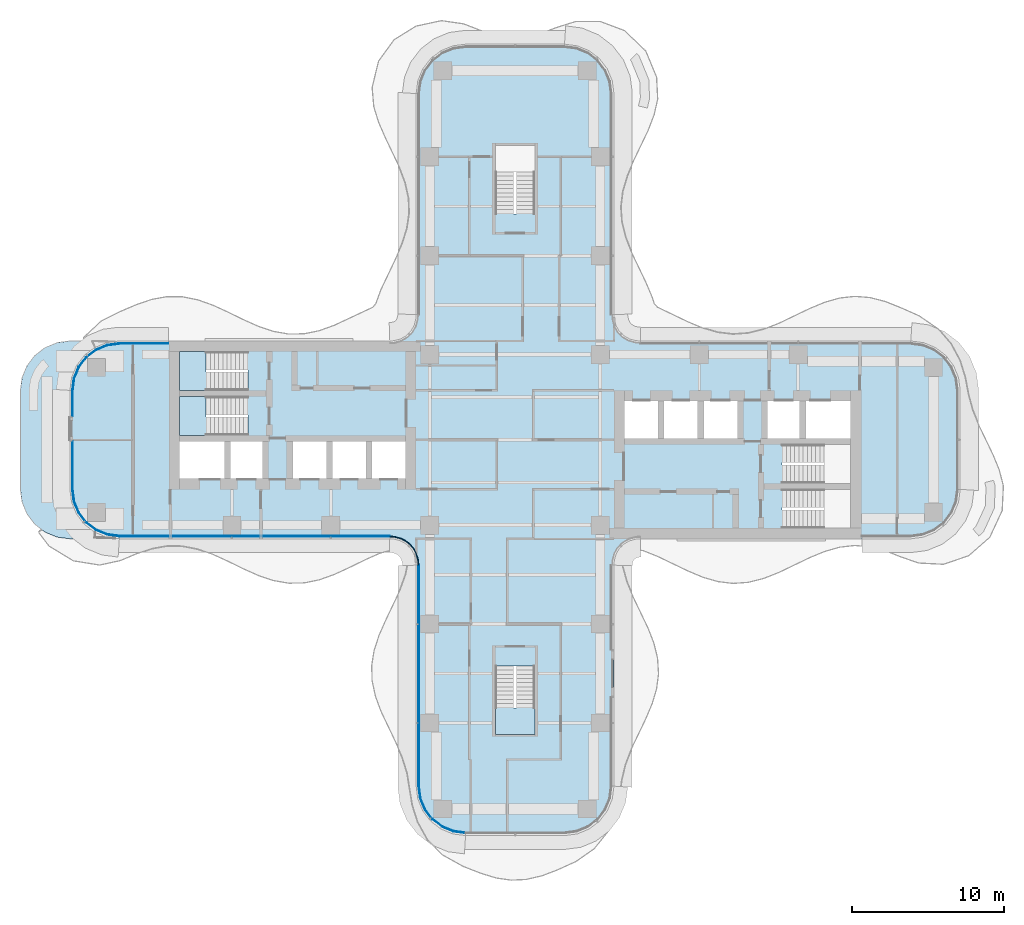
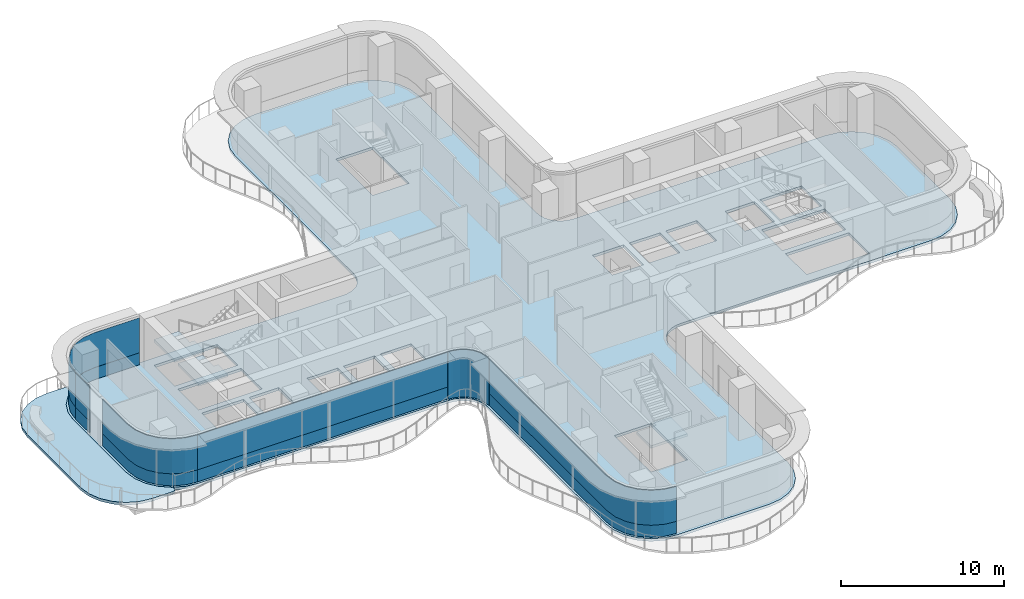
# One storey, part 9 of 17: 11 plates, 5 slabs, 9 elements without a shape of their own.
"""IFC4 building model written with IfcOpenShell, lengths in metres."""

from ifc_helpers import new_model, si_unit, direction, frame, origin, place, context, subcontext, project, spatial, polyline, outline, extrude, source, transform, mapped, material, layer, layer_set, type_object, element, aggregate, save


model = new_model("IFC4")

# Units and contexts
model_context = context("Model", 3, precision=1e-05, world=origin(), true_north=direction((0.0, 1.0)))
body_context = subcontext(model_context, "Body", "Model", "MODEL_VIEW")
ifc_project = project(units=[si_unit("LENGTHUNIT", "METRE"), si_unit("AREAUNIT", "SQUARE_METRE"), si_unit("VOLUMEUNIT", "CUBIC_METRE"), si_unit("PLANEANGLEUNIT", "RADIAN"), si_unit("MASSUNIT", "GRAM", prefix="KILO")], contexts=[model_context])

# Site, building, storey
site_placement = place(None, origin())
site = spatial("IfcSite", under=ifc_project, at=site_placement, CompositionType="ELEMENT")
building_placement = place(site_placement, origin())
building = spatial("IfcBuilding", under=site, at=building_placement, Name="Trellis Farm Tower", CompositionType="ELEMENT")
storey_placement = place(building_placement, frame((0.0, 0.0, 162.0)))
storey = spatial("IfcBuildingStorey", under=building, at=storey_placement, Name="L34", CompositionType="ELEMENT", Elevation=162.0)

# Curtain wall, plate
ifc_material_1 = material(Name="Aluminium and glass curtain wall", Category="aluminium")
ifc_layer_1 = layer(ifc_material_1, 0.18994140625)
ifc_layer_set_1 = layer_set([ifc_layer_1], Name="RIBBON CURTAIN WALL CW1")
curtain_wall_type_1 = type_object("IfcCurtainWallType", Name="RIBBON CURTAIN WALL CW1", PredefinedType="NOTDEFINED", material=ifc_layer_set_1)
placement_1 = place(storey_placement, origin())
curtain_wall_1 = element("IfcCurtainWall", 1, at=placement_1, inside=storey, type_object=curtain_wall_type_1, Name="CW1 013", PredefinedType="NOTDEFINED")
ifc_material_2 = material(Name="Clear insulated glass", Category="glass")
ifc_layer_2 = layer(ifc_material_2, 0.0400390625)
ifc_layer_set_2 = layer_set([ifc_layer_2], Name="CW1 GLASS PANEL 40")
plate_type_1 = type_object("IfcPlateType", Name="CW1 GLASS PANEL 40", PredefinedType="CURTAIN_PANEL", material=ifc_layer_set_2)
placement_2 = place(storey_placement, frame((0.0, 0.0, 0.89990234375)))
plate_1 = element("IfcPlate", 2, at=placement_2, type_object=plate_type_1, Name="PL1 013", PredefinedType="CURTAIN_PANEL", context=body_context, shape_type="SweptSolid", body=[
    extrude(outline(polyline([(-29.10009765625, 3.240234375), (-29.10009765625, 1.5400390625), (-29.06005859375, 1.5400390625), (-29.06005859375, 3.237548828125), (-29.10009765625, 3.240234375)])), origin(), (0.0, 0.0, 1.0), 2.6201171875),
])

curtain_wall_2 = element("IfcCurtainWall", 3, at=placement_1, inside=storey, type_object=curtain_wall_type_1, Name="CW1 014", PredefinedType="NOTDEFINED")
plate_2 = element("IfcPlate", 4, at=placement_2, type_object=plate_type_1, Name="PL1 014", PredefinedType="CURTAIN_PANEL", context=body_context, shape_type="SweptSolid", body=[
    extrude(outline(polyline([(-29.10009765625, -0.080078125), (-29.10009765625, -3.240234375), (-28.9931640625, -4.052001953125), (-28.68359375, -4.79931640625), (-28.191162109375, -5.441162109375), (-27.54931640625, -5.93359375), (-26.802001953125, -6.2431640625), (-25.990234375, -6.35009765625), (-25.987548828125, -6.31005859375), (-26.79150390625, -6.2041015625), (-27.529296875, -5.898681640625), (-28.16259765625, -5.41259765625), (-28.648681640625, -4.779296875), (-28.9541015625, -4.04150390625), (-29.06005859375, -3.237548828125), (-29.06005859375, -0.080078125), (-29.10009765625, -0.080078125)])), origin(), (0.0, 0.0, 1.0), 2.6201171875),
])

# Plate
ifc_material_3 = material(Name="Sandstone faced insulated panel", Category="masonry")
ifc_layer_3 = layer(ifc_material_3, 0.050048828125)
ifc_layer_set_3 = layer_set([ifc_layer_3], Name="CW1 STONE SPANDREL PANEL 50")
plate_type_2 = type_object("IfcPlateType", Name="CW1 STONE SPANDREL PANEL 50", PredefinedType="CURTAIN_PANEL", material=ifc_layer_set_3)
plate_3 = element("IfcPlate", 5, at=placement_1, type_object=plate_type_2, Name="PS1 013", PredefinedType="CURTAIN_PANEL", context=body_context, shape_type="SweptSolid", body=[
    extrude(outline(polyline([(-29.10009765625, 3.240234375), (-29.10009765625, 1.5400390625), (-29.050048828125, 1.5400390625), (-29.050048828125, 3.23681640625), (-29.10009765625, 3.240234375)])), origin(), (0.0, 0.0, 1.0), 0.89990234375),
])

aggregate(curtain_wall_1, [plate_1, plate_3])

plate_4 = element("IfcPlate", 6, at=placement_1, type_object=plate_type_2, Name="PS1 014", PredefinedType="CURTAIN_PANEL", context=body_context, shape_type="SweptSolid", body=[
    extrude(outline(polyline([(-29.10009765625, -0.080078125), (-29.10009765625, -3.240234375), (-28.9931640625, -4.052001953125), (-28.68359375, -4.79931640625), (-28.191162109375, -5.441162109375), (-27.54931640625, -5.93359375), (-26.802001953125, -6.2431640625), (-25.990234375, -6.35009765625), (-25.98681640625, -6.300048828125), (-26.7890625, -6.1943359375), (-27.524169921875, -5.889892578125), (-28.155517578125, -5.405517578125), (-28.639892578125, -4.774169921875), (-28.9443359375, -4.0390625), (-29.050048828125, -3.23681640625), (-29.050048828125, -0.080078125), (-29.10009765625, -0.080078125)])), origin(), (0.0, 0.0, 1.0), 0.89990234375),
])

aggregate(curtain_wall_2, [plate_2, plate_4])

# Slabs
ifc_material_4 = material(Name="Concrete C40/50", Category="concrete")
ifc_layer_4 = layer(ifc_material_4, 0.199951171875)
ifc_layer_set_4 = layer_set([ifc_layer_4], Name="Terrace slab on composite deck 200")
slab_type_1 = type_object("IfcSlabType", Name="Terrace slab on composite deck 200", PredefinedType="FLOOR", material=ifc_layer_set_4)
placement_3 = place(storey_placement, frame((0.0, 0.0, -0.199951171875)))
element("IfcSlab", 7, at=placement_3, inside=storey, type_object=slab_type_1, Name="Terrace slab", PredefinedType="FLOOR", context=body_context, shape_type="SweptSolid", body=[
    extrude(outline(polyline([(-30.05859375, -6.3935546875), (-30.12158203125, -6.376708984375), (-30.844482421875, -6.0771484375), (-30.901123046875, -6.04443359375), (-31.52197265625, -5.568115234375), (-31.568115234375, -5.52197265625), (-32.04443359375, -4.901123046875), (-32.0771484375, -4.844482421875), (-32.376708984375, -4.12158203125), (-32.3935546875, -4.05859375), (-32.497802734375, -3.26611328125), (-32.5, -3.233642578125), (-32.5, 3.233642578125), (-32.497802734375, 3.26611328125), (-32.3935546875, 4.05859375), (-32.376708984375, 4.12158203125), (-32.0771484375, 4.844482421875), (-32.04443359375, 4.901123046875), (-31.568115234375, 5.52197265625), (-31.52197265625, 5.568115234375), (-30.901123046875, 6.04443359375), (-30.844482421875, 6.0771484375), (-30.12158203125, 6.376708984375), (-30.05859375, 6.3935546875), (-29.26611328125, 6.497802734375), (-29.233642578125, 6.5), (-27.7939453125, 6.5), (-27.609619140625, 6.4189453125), (-27.544921875, 6.228271484375), (-27.64111328125, 6.052978515625), (-28.298583984375, 5.548583984375), (-28.815185546875, 4.875244140625), (-29.139892578125, 4.09130859375), (-29.25048828125, 3.25), (-29.25048828125, -3.25), (-29.139892578125, -4.09130859375), (-28.815185546875, -4.875244140625), (-28.298583984375, -5.548583984375), (-27.64111328125, -6.052978515625), (-27.544921875, -6.228271484375), (-27.609619140625, -6.4189453125), (-27.7939453125, -6.5), (-29.233642578125, -6.5), (-29.26611328125, -6.497802734375), (-30.05859375, -6.3935546875)])), origin(), (0.0, 0.0, 1.0), 0.199951171875),
])
ifc_layer_5 = layer(ifc_material_4, 0.199951171875)
ifc_layer_set_5 = layer_set([ifc_layer_5], Name="Composite deck floor slab 200")
slab_type_2 = type_object("IfcSlabType", Name="Composite deck floor slab 200", PredefinedType="FLOOR", material=ifc_layer_set_5)
shared_shape_1 = source(origin(), body_context, "Body", "SweptSolid", [
    extrude(outline(polyline([(-26.84130859375, -6.389404296875), (-27.625, -6.064697265625), (-28.298095703125, -5.548095703125), (-28.814697265625, -4.875), (-29.139404296875, -4.09130859375), (-29.25, -3.25), (-29.25, 3.25), (-29.139404296875, 4.09130859375), (-28.814697265625, 4.875), (-28.298095703125, 5.548095703125), (-27.625, 6.064697265625), (-26.84130859375, 6.389404296875), (-26.0, 6.5), (-8.2314453125, 6.5), (-8.01953125, 6.513916015625), (-7.91552734375, 6.527587890625), (-7.508544921875, 6.63671875), (-7.144287109375, 6.846923828125), (-6.846923828125, 7.144287109375), (-6.63671875, 7.508544921875), (-6.527587890625, 7.91552734375), (-6.513916015625, 8.01953125), (-6.5, 8.2314453125), (-6.5, 22.75), (-6.389404296875, 23.59130859375), (-6.064697265625, 24.375), (-5.548095703125, 25.048095703125), (-4.875, 25.564697265625), (-4.09130859375, 25.889404296875), (-3.25, 26.0), (3.25, 26.0), (4.09130859375, 25.889404296875), (4.875, 25.564697265625), (5.548095703125, 25.048095703125), (6.064697265625, 24.375), (6.389404296875, 23.59130859375), (6.5, 22.75), (6.5, 8.2314453125), (6.513916015625, 8.01953125), (6.527587890625, 7.91552734375), (6.63671875, 7.508544921875), (6.846923828125, 7.144287109375), (7.144287109375, 6.846923828125), (7.508544921875, 6.63671875), (7.91552734375, 6.527587890625), (8.01953125, 6.513916015625), (8.2314453125, 6.5), (26.0, 6.5), (26.84130859375, 6.389404296875), (27.625, 6.064697265625), (28.298095703125, 5.548095703125), (28.814697265625, 4.875), (29.139404296875, 4.09130859375), (29.25, 3.25), (29.25, -3.25), (29.139404296875, -4.09130859375), (28.814697265625, -4.875), (28.298095703125, -5.548095703125), (27.625, -6.064697265625), (26.84130859375, -6.389404296875), (26.0, -6.5), (8.2314453125, -6.5), (8.01953125, -6.513916015625), (7.91552734375, -6.527587890625), (7.508544921875, -6.63671875), (7.144287109375, -6.846923828125), (6.846923828125, -7.144287109375), (6.63671875, -7.508544921875), (6.527587890625, -7.91552734375), (6.513916015625, -8.01953125), (6.5, -8.2314453125), (6.5, -22.75), (6.389404296875, -23.59130859375), (6.064697265625, -24.375), (5.548095703125, -25.048095703125), (4.875, -25.564697265625), (4.09130859375, -25.889404296875), (3.25, -26.0), (-3.25, -26.0), (-4.09130859375, -25.889404296875), (-4.875, -25.564697265625), (-5.548095703125, -25.048095703125), (-6.064697265625, -24.375), (-6.389404296875, -23.59130859375), (-6.5, -22.75), (-6.5, -8.2314453125), (-6.513916015625, -8.01953125), (-6.527587890625, -7.91552734375), (-6.63671875, -7.508544921875), (-6.846923828125, -7.144287109375), (-7.144287109375, -6.846923828125), (-7.508544921875, -6.63671875), (-7.91552734375, -6.527587890625), (-8.01953125, -6.513916015625), (-8.2314453125, -6.5), (-26.0, -6.5), (-26.84130859375, -6.389404296875)]), holes=[polyline([(-22.050048828125, -0.10009765625), (-22.050048828125, -2.550048828125), (-19.10009765625, -2.550048828125), (-19.10009765625, -0.10009765625), (-22.050048828125, -0.10009765625)]), polyline([(-18.699951171875, -0.10009765625), (-18.699951171875, -2.550048828125), (-16.60009765625, -2.550048828125), (-16.60009765625, -0.10009765625), (-18.699951171875, -0.10009765625)]), polyline([(-14.60009765625, -0.10009765625), (-14.60009765625, -2.550048828125), (-12.39990234375, -2.550048828125), (-12.39990234375, -0.10009765625), (-14.60009765625, -0.10009765625)]), polyline([(-12.0, -0.10009765625), (-12.0, -2.550048828125), (-9.800048828125, -2.550048828125), (-9.800048828125, -0.10009765625), (-12.0, -0.10009765625)]), polyline([(-9.39990234375, -0.10009765625), (-9.39990234375, -2.550048828125), (-7.199951171875, -2.550048828125), (-7.199951171875, -0.10009765625), (-9.39990234375, -0.10009765625)]), polyline([(-17.56201171875, 1.64990234375), (-17.56201171875, 2.85009765625), (-22.050048828125, 2.85009765625), (-22.050048828125, 0.300048828125), (-17.56005859375, 0.300048828125), (-17.56005859375, 1.5), (-17.550048828125, 1.5), (-17.550048828125, 1.64990234375), (-17.56201171875, 1.64990234375)]), polyline([(-17.56201171875, 4.60009765625), (-17.56201171875, 5.800048828125), (-22.050048828125, 5.800048828125), (-22.050048828125, 3.25), (-17.56005859375, 3.25), (-17.56005859375, 4.449951171875), (-17.550048828125, 4.449951171875), (-17.550048828125, 4.60009765625), (-17.56201171875, 4.60009765625)]), polyline([(0.10009765625, 14.862060546875), (1.300048828125, 14.862060546875), (1.300048828125, 19.35009765625), (-1.300048828125, 19.35009765625), (-1.300048828125, 14.860107421875), (-0.10009765625, 14.860107421875), (-0.10009765625, 14.85009765625), (0.10009765625, 14.85009765625), (0.10009765625, 14.862060546875)]), polyline([(-0.10009765625, -14.862060546875), (-1.300048828125, -14.862060546875), (-1.300048828125, -19.35009765625), (1.300048828125, -19.35009765625), (1.300048828125, -14.860107421875), (0.10009765625, -14.860107421875), (0.10009765625, -14.85009765625), (-0.10009765625, -14.85009765625), (-0.10009765625, -14.862060546875)]), polyline([(17.56201171875, -4.60009765625), (17.56201171875, -5.800048828125), (22.050048828125, -5.800048828125), (22.050048828125, -3.25), (17.56005859375, -3.25), (17.56005859375, -4.449951171875), (17.550048828125, -4.449951171875), (17.550048828125, -4.60009765625), (17.56201171875, -4.60009765625)]), polyline([(17.56201171875, -1.64990234375), (17.56201171875, -2.85009765625), (22.050048828125, -2.85009765625), (22.050048828125, -0.300048828125), (17.56005859375, -0.300048828125), (17.56005859375, -1.5), (17.550048828125, -1.5), (17.550048828125, -1.64990234375), (17.56201171875, -1.64990234375)]), polyline([(9.39990234375, 0.10009765625), (9.39990234375, 2.550048828125), (7.199951171875, 2.550048828125), (7.199951171875, 0.10009765625), (9.39990234375, 0.10009765625)]), polyline([(12.0, 0.10009765625), (12.0, 2.550048828125), (9.800048828125, 2.550048828125), (9.800048828125, 0.10009765625), (12.0, 0.10009765625)]), polyline([(14.60009765625, 0.10009765625), (14.60009765625, 2.550048828125), (12.39990234375, 2.550048828125), (12.39990234375, 0.10009765625), (14.60009765625, 0.10009765625)]), polyline([(18.699951171875, 0.10009765625), (18.699951171875, 2.550048828125), (16.60009765625, 2.550048828125), (16.60009765625, 0.10009765625), (18.699951171875, 0.10009765625)]), polyline([(22.050048828125, 0.10009765625), (22.050048828125, 2.550048828125), (19.10009765625, 2.550048828125), (19.10009765625, 0.10009765625), (22.050048828125, 0.10009765625)])]), origin(), (0.0, 0.0, 1.0), 0.199951171875),
])
element("IfcSlab", 8, at=placement_3, inside=storey, type_object=slab_type_2, Name="Floor slab", PredefinedType="FLOOR", context=body_context, shape_type="MappedRepresentation", body=[
    mapped(shared_shape_1, transform((0.0, 0.0, 0.0))),
])

# Stair, slab
ifc_material_5 = material(Name="Concrete C50/60", Category="concrete")
stair_type = type_object("IfcStairType", Name="CORE EXIT STAIR 22 RISERS 177 MM", PredefinedType="HALF_TURN_STAIR", material=ifc_material_5)
stair_1 = element("IfcStair", 9, at=placement_1, inside=storey, type_object=stair_type, Name="Exit stair S", PredefinedType="HALF_TURN_STAIR")
ifc_layer_6 = layer(ifc_material_5, 0.18994140625)
ifc_layer_set_6 = layer_set([ifc_layer_6], Name="CORE STAIR LANDING 190 CONCRETE C50/60")
slab_type_3 = type_object("IfcSlabType", Name="CORE STAIR LANDING 190 CONCRETE C50/60", PredefinedType="LANDING", material=ifc_layer_set_6)
shared_shape_2 = source(origin(), body_context, "Body", "SweptSolid", [
    extrude(outline(polyline([(1.300048828125, -19.35009765625), (-1.300048828125, -19.35009765625), (-1.300048828125, -17.60009765625), (-1.300048828125, -17.590087890625), (-0.10009765625, -17.590087890625), (-0.10009765625, -17.60009765625), (0.10009765625, -17.60009765625), (0.10009765625, -17.27197265625), (1.300048828125, -17.27197265625), (1.300048828125, -17.60009765625), (1.300048828125, -19.35009765625)])), origin(), (0.0, 0.0, 1.0), 0.18994140625),
])
placement_4 = place(storey_placement, frame((0.0, 0.0, 1.760009765625)))
slab_3 = element("IfcSlab", 10, at=placement_4, type_object=slab_type_3, Name="STS landing 1", PredefinedType="LANDING", context=body_context, shape_type="MappedRepresentation", body=[
    mapped(shared_shape_2, transform((0.0, 0.0, 0.0))),
])
aggregate(stair_1, [slab_3])

stair_2 = element("IfcStair", 11, at=placement_1, inside=storey, type_object=stair_type, Name="Exit stair W1", PredefinedType="HALF_TURN_STAIR")
shared_shape_3 = source(origin(), body_context, "Body", "SweptSolid", [
    extrude(outline(polyline([(-19.971923828125, 4.449951171875), (-19.971923828125, 3.25), (-20.300048828125, 3.25), (-22.050048828125, 3.25), (-22.050048828125, 5.800048828125), (-20.300048828125, 5.800048828125), (-20.2900390625, 5.800048828125), (-20.2900390625, 4.60009765625), (-20.300048828125, 4.60009765625), (-20.300048828125, 4.449951171875), (-19.971923828125, 4.449951171875)])), origin(), (0.0, 0.0, 1.0), 0.18994140625),
])
slab_4 = element("IfcSlab", 12, at=placement_4, type_object=slab_type_3, Name="STW1 landing 1", PredefinedType="LANDING", context=body_context, shape_type="MappedRepresentation", body=[
    mapped(shared_shape_3, transform((0.0, 0.0, 0.0))),
])
aggregate(stair_2, [slab_4])

stair_3 = element("IfcStair", 13, at=placement_1, inside=storey, type_object=stair_type, Name="Exit stair W2", PredefinedType="HALF_TURN_STAIR")
shared_shape_4 = source(origin(), body_context, "Body", "SweptSolid", [
    extrude(outline(polyline([(-19.971923828125, 1.5), (-19.971923828125, 0.300048828125), (-20.300048828125, 0.300048828125), (-22.050048828125, 0.300048828125), (-22.050048828125, 2.85009765625), (-20.300048828125, 2.85009765625), (-20.2900390625, 2.85009765625), (-20.2900390625, 1.64990234375), (-20.300048828125, 1.64990234375), (-20.300048828125, 1.5), (-19.971923828125, 1.5)])), origin(), (0.0, 0.0, 1.0), 0.18994140625),
])
slab_5 = element("IfcSlab", 14, at=placement_4, type_object=slab_type_3, Name="STW2 landing 1", PredefinedType="LANDING", context=body_context, shape_type="MappedRepresentation", body=[
    mapped(shared_shape_4, transform((0.0, 0.0, 0.0))),
])
aggregate(stair_3, [slab_5])

# Curtain wall, plate
curtain_wall_3 = element("IfcCurtainWall", 15, at=placement_1, inside=storey, type_object=curtain_wall_type_1, Name="CW1 002", PredefinedType="NOTDEFINED")
shared_shape_5 = source(origin(), body_context, "Body", "SweptSolid", [
    extrude(outline(polyline([(-6.35009765625, -8.2265625), (-6.35009765625, -22.740234375), (-6.2431640625, -23.552001953125), (-5.93359375, -24.29931640625), (-5.441162109375, -24.941162109375), (-4.79931640625, -25.43359375), (-4.052001953125, -25.7431640625), (-3.240234375, -25.85009765625), (-3.23681640625, -25.800048828125), (-4.0390625, -25.6943359375), (-4.774169921875, -25.389892578125), (-5.405517578125, -24.905517578125), (-5.889892578125, -24.274169921875), (-6.1943359375, -23.5390625), (-6.300048828125, -22.73681640625), (-6.300048828125, -8.224853515625), (-6.35009765625, -8.2265625)])), origin(), (0.0, 0.0, 1.0), 0.89990234375),
])
plate_5 = element("IfcPlate", 16, at=placement_1, type_object=plate_type_2, Name="PS1 002", PredefinedType="CURTAIN_PANEL", context=body_context, shape_type="MappedRepresentation", body=[
    mapped(shared_shape_5, transform((0.0, 0.0, 0.0))),
])

ifc_layer_7 = layer(ifc_material_1, 0.166015625)
ifc_layer_set_7 = layer_set([ifc_layer_7], Name="WINTER GARDEN CURTAIN WALL CW3")
curtain_wall_type_2 = type_object("IfcCurtainWallType", Name="WINTER GARDEN CURTAIN WALL CW3", PredefinedType="NOTDEFINED", material=ifc_layer_set_7)
curtain_wall_4 = element("IfcCurtainWall", 17, at=placement_1, inside=storey, type_object=curtain_wall_type_2, Name="CW3 001", PredefinedType="NOTDEFINED")
ifc_layer_8 = layer(ifc_material_2, 0.0458984375)
ifc_layer_set_8 = layer_set([ifc_layer_8], Name="CW3 GLASS PANEL 46")
plate_type_3 = type_object("IfcPlateType", Name="CW3 GLASS PANEL 46", PredefinedType="CURTAIN_PANEL", material=ifc_layer_set_8)
shared_shape_6 = source(origin(), body_context, "Body", "SweptSolid", [
    extrude(outline(polyline([(-8.2275390625, -6.3798828125), (-8.0078125, -6.394287109375), (-7.89208984375, -6.40966796875), (-7.462158203125, -6.52490234375), (-7.070556640625, -6.7509765625), (-6.7509765625, -7.070556640625), (-6.52490234375, -7.462158203125), (-6.40966796875, -7.89208984375), (-6.394287109375, -8.0078125), (-6.3798828125, -8.2275390625), (-6.333984375, -8.22607421875), (-6.3486328125, -8.003173828125), (-6.364501953125, -7.883056640625), (-6.48193359375, -7.4443359375), (-6.714111328125, -7.04248046875), (-7.04248046875, -6.714111328125), (-7.4443359375, -6.48193359375), (-7.883056640625, -6.364501953125), (-8.003173828125, -6.3486328125), (-8.22607421875, -6.333984375), (-8.2275390625, -6.3798828125)])), origin(), (0.0, 0.0, 1.0), 3.550048828125),
])
plate_6 = element("IfcPlate", 18, at=placement_1, type_object=plate_type_3, Name="PL3 001", PredefinedType="CURTAIN_PANEL", context=body_context, shape_type="MappedRepresentation", body=[
    mapped(shared_shape_6, transform((0.0, 0.0, 0.0))),
])
aggregate(curtain_wall_4, [plate_6])

# Curtain wall, plates
curtain_wall_5 = element("IfcCurtainWall", 19, at=placement_1, inside=storey, type_object=curtain_wall_type_1, Name="CW1 001", PredefinedType="NOTDEFINED")
shared_shape_7 = source(origin(), body_context, "Body", "SweptSolid", [
    extrude(outline(polyline([(-25.990234375, -6.35009765625), (-8.2265625, -6.35009765625), (-8.22509765625, -6.31005859375), (-25.987548828125, -6.31005859375), (-25.990234375, -6.35009765625)])), origin(), (0.0, 0.0, 1.0), 2.6201171875),
])
plate_7 = element("IfcPlate", 20, at=placement_2, type_object=plate_type_1, Name="PL1 001", PredefinedType="CURTAIN_PANEL", context=body_context, shape_type="MappedRepresentation", body=[
    mapped(shared_shape_7, transform((0.0, 0.0, 0.0))),
])
shared_shape_8 = source(origin(), body_context, "Body", "SweptSolid", [
    extrude(outline(polyline([(-25.990234375, -6.35009765625), (-8.2265625, -6.35009765625), (-8.224853515625, -6.300048828125), (-25.98681640625, -6.300048828125), (-25.990234375, -6.35009765625)])), origin(), (0.0, 0.0, 1.0), 0.89990234375),
])
plate_8 = element("IfcPlate", 21, at=placement_1, type_object=plate_type_2, Name="PS1 001", PredefinedType="CURTAIN_PANEL", context=body_context, shape_type="MappedRepresentation", body=[
    mapped(shared_shape_8, transform((0.0, 0.0, 0.0))),
])
aggregate(curtain_wall_5, [plate_7, plate_8])

# Plate
shared_shape_9 = source(origin(), body_context, "Body", "SweptSolid", [
    extrude(outline(polyline([(-6.35009765625, -8.2265625), (-6.35009765625, -22.740234375), (-6.2431640625, -23.552001953125), (-5.93359375, -24.29931640625), (-5.441162109375, -24.941162109375), (-4.79931640625, -25.43359375), (-4.052001953125, -25.7431640625), (-3.240234375, -25.85009765625), (-3.237548828125, -25.81005859375), (-4.04150390625, -25.7041015625), (-4.779296875, -25.398681640625), (-5.41259765625, -24.91259765625), (-5.898681640625, -24.279296875), (-6.2041015625, -23.54150390625), (-6.31005859375, -22.737548828125), (-6.31005859375, -8.22509765625), (-6.35009765625, -8.2265625)])), origin(), (0.0, 0.0, 1.0), 2.6201171875),
])
plate_9 = element("IfcPlate", 22, at=placement_2, type_object=plate_type_1, Name="PL1 002", PredefinedType="CURTAIN_PANEL", context=body_context, shape_type="MappedRepresentation", body=[
    mapped(shared_shape_9, transform((0.0, 0.0, 0.0))),
])

aggregate(curtain_wall_3, [plate_9, plate_5])

# Curtain wall, plates
curtain_wall_6 = element("IfcCurtainWall", 23, at=placement_1, inside=storey, type_object=curtain_wall_type_1, Name="CW1 012", PredefinedType="NOTDEFINED")
shared_shape_10 = source(origin(), body_context, "Body", "SweptSolid", [
    extrude(outline(polyline([(-22.780029296875, 6.35009765625), (-25.990234375, 6.35009765625), (-26.802001953125, 6.2431640625), (-27.54931640625, 5.93359375), (-28.191162109375, 5.441162109375), (-28.68359375, 4.79931640625), (-28.9931640625, 4.052001953125), (-29.10009765625, 3.240234375), (-29.06005859375, 3.237548828125), (-28.9541015625, 4.04150390625), (-28.648681640625, 4.779296875), (-28.16259765625, 5.41259765625), (-27.529296875, 5.898681640625), (-26.79150390625, 6.2041015625), (-25.987548828125, 6.31005859375), (-22.780029296875, 6.31005859375), (-22.780029296875, 6.35009765625)])), origin(), (0.0, 0.0, 1.0), 2.6201171875),
])
plate_10 = element("IfcPlate", 24, at=placement_2, type_object=plate_type_1, Name="PL1 012", PredefinedType="CURTAIN_PANEL", context=body_context, shape_type="MappedRepresentation", body=[
    mapped(shared_shape_10, transform((0.0, 0.0, 0.0))),
])
shared_shape_11 = source(origin(), body_context, "Body", "SweptSolid", [
    extrude(outline(polyline([(-22.780029296875, 6.35009765625), (-25.990234375, 6.35009765625), (-26.802001953125, 6.2431640625), (-27.54931640625, 5.93359375), (-28.191162109375, 5.441162109375), (-28.68359375, 4.79931640625), (-28.9931640625, 4.052001953125), (-29.10009765625, 3.240234375), (-29.050048828125, 3.23681640625), (-28.9443359375, 4.0390625), (-28.639892578125, 4.774169921875), (-28.155517578125, 5.405517578125), (-27.524169921875, 5.889892578125), (-26.7890625, 6.1943359375), (-25.98681640625, 6.300048828125), (-22.780029296875, 6.300048828125), (-22.780029296875, 6.35009765625)])), origin(), (0.0, 0.0, 1.0), 0.89990234375),
])
plate_11 = element("IfcPlate", 25, at=placement_1, type_object=plate_type_2, Name="PS1 012", PredefinedType="CURTAIN_PANEL", context=body_context, shape_type="MappedRepresentation", body=[
    mapped(shared_shape_11, transform((0.0, 0.0, 0.0))),
])
aggregate(curtain_wall_6, [plate_10, plate_11])

save(model, "model.ifc")
